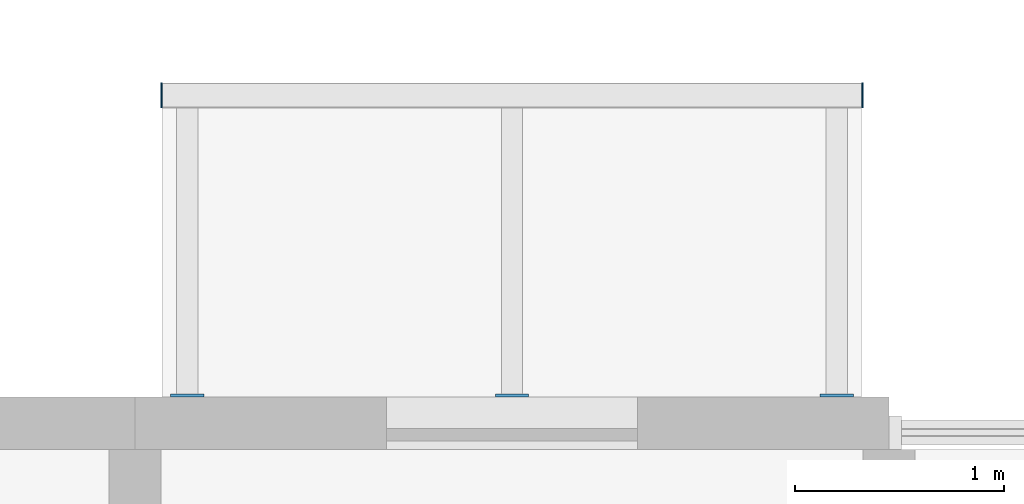
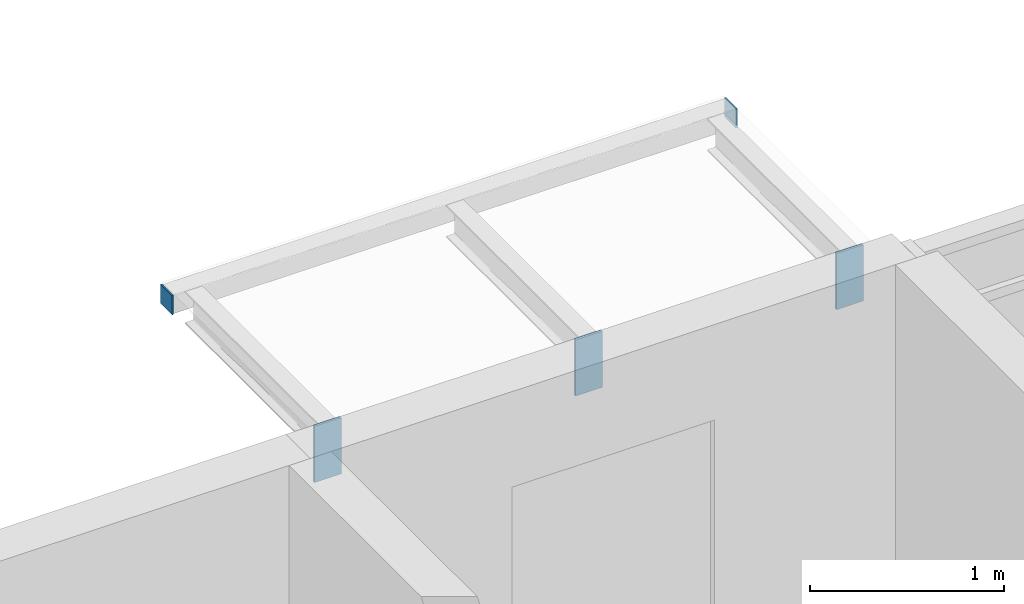
# One storey, part 99 of 122: 5 discrete accessories.
"""IFC4 building model written with IfcOpenShell, lengths in metres."""

from ifc_helpers import new_model, si_unit, direction, frame, origin, origin_2d, place, context, subcontext, project, spatial, rectangle, extrude, material, layer, layer_set, type_object, element, save


model = new_model("IFC4")

# Units and contexts
model_context = context("Model", 3, precision=1e-05, world=origin(), true_north=direction((0.0, 1.0)))
body_context = subcontext(model_context, "Body", "Model", "MODEL_VIEW")
ifc_project = project(units=[si_unit("LENGTHUNIT", "METRE"), si_unit("AREAUNIT", "SQUARE_METRE"), si_unit("VOLUMEUNIT", "CUBIC_METRE"), si_unit("PLANEANGLEUNIT", "RADIAN"), si_unit("MASSUNIT", "GRAM", prefix="KILO")], contexts=[model_context])

# Site, building, storey
site_placement = place(None, origin())
site = spatial("IfcSite", under=ifc_project, at=site_placement, CompositionType="ELEMENT")
building_placement = place(site_placement, origin())
building = spatial("IfcBuilding", under=site, at=building_placement, Name="Ridgestep Commons", CompositionType="ELEMENT")
storey_placement = place(building_placement, frame((0.0, 0.0, 3.0)))
storey = spatial("IfcBuildingStorey", under=building, at=storey_placement, Name="L01", CompositionType="ELEMENT", Elevation=3.0)

# Discrete accessories
ifc_material_1 = material(Name="Weathering steel S355J2W", Category="steel")
ifc_layer_1 = layer(ifc_material_1, 0.014892578125)
ifc_layer_set_1 = layer_set([ifc_layer_1], Name="Tray bracket plate 15")
discrete_accessory_type_1 = type_object("IfcDiscreteAccessoryType", Name="Tray bracket plate 15", PredefinedType="BRACKET", material=ifc_layer_set_1)
for number, where, z_axis, x_axis, name in (
    (1, (154.25, 77.257568359375, 2.63671875), (0.0, 0.0, 1.0), (1.0, 0.0, 0.0), "Tray bracket C1T3-02.1"),
    (2, (155.800048828125, 77.257568359375, 2.63671875), (0.0, 0.0, 1.0), (1.0, 0.0, 0.0), "Tray bracket C1T3-02.2"),
    (3, (157.35009765625, 77.257568359375, 2.63671875), (0.0, 0.0, 1.0), (1.0, 0.0, 0.0), "Tray bracket C1T3-02.3"),
):
    element("IfcDiscreteAccessory", number, at=place(storey_placement, frame(where, z_axis=z_axis, x_axis=x_axis)), inside=storey, type_object=discrete_accessory_type_1, Name=name, PredefinedType="BRACKET", context=body_context, shape_type="SweptSolid", body=[
        extrude(rectangle(XDim=0.159912109375, YDim=0.014892578125, at=origin_2d()), origin(), (0.0, 0.0, 1.0), 0.353271484375),
    ])
ifc_material_2 = material(Name="Weathering steel S355J2W", Category="steel")
ifc_layer_2 = layer(ifc_material_2, 0.008056640625)
ifc_layer_set_2 = layer_set([ifc_layer_2], Name="Tray edge member end plate 120 x 120 x 8")
discrete_accessory_type_2 = type_object("IfcDiscreteAccessoryType", Name="Tray edge member end plate 120 x 120 x 8", PredefinedType="BRACKET", material=ifc_layer_set_2)
for number, where, z_axis, x_axis, name in (
    (4, (154.1259765625, 78.68994140625, 2.869873046875), (0.0, 0.0, 1.0), (1.0, 0.0, 0.0), "Tray edge member end plate C1T3-02 west"),
    (5, (157.47412109375, 78.68994140625, 2.869873046875), (0.0, 0.0, 1.0), (1.0, 0.0, 0.0), "Tray edge member end plate C1T3-02 east"),
):
    element("IfcDiscreteAccessory", number, at=place(storey_placement, frame(where, z_axis=z_axis, x_axis=x_axis)), inside=storey, type_object=discrete_accessory_type_2, Name=name, PredefinedType="BRACKET", context=body_context, shape_type="SweptSolid", body=[
        extrude(rectangle(XDim=0.008056640625, YDim=0.1201171875, at=origin_2d()), origin(), (0.0, 0.0, 1.0), 0.1201171875),
    ])

save(model, "model.ifc")
